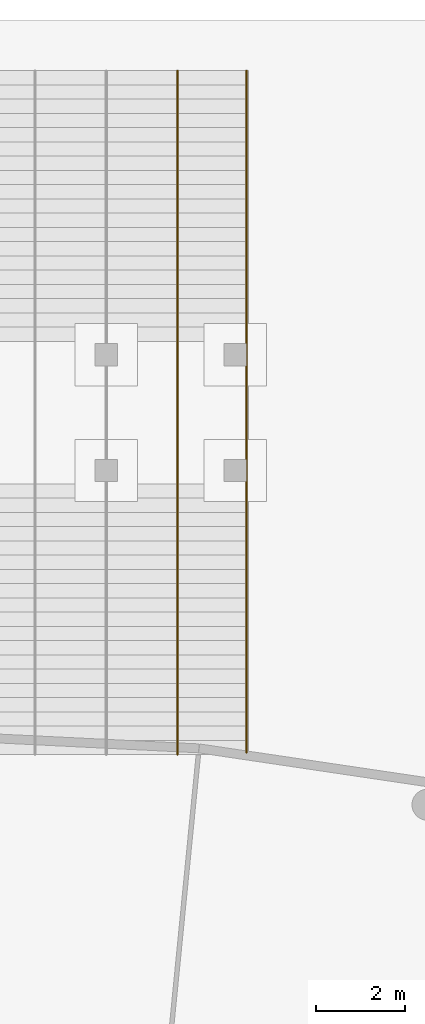
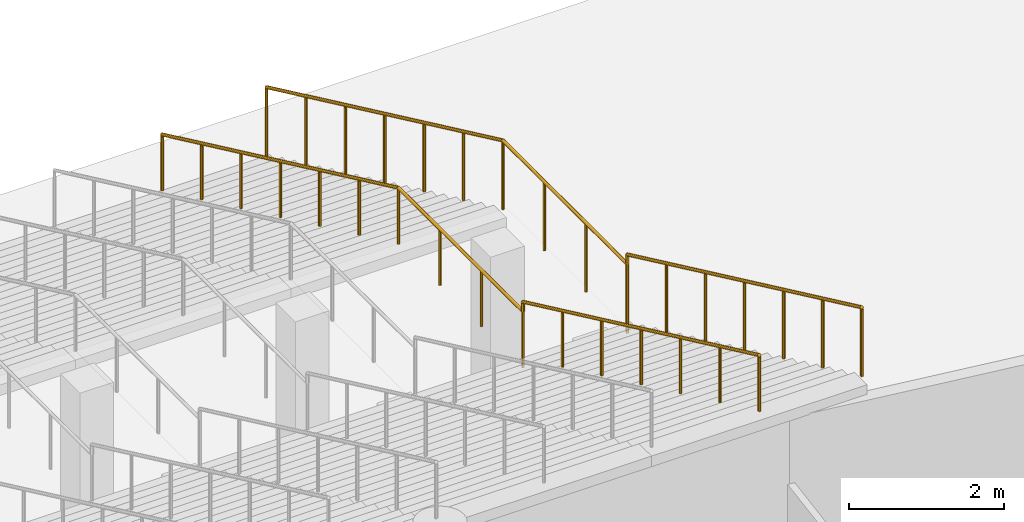
# One storey, part 32 of 33: 2 railings.
"""IFC4 building model written with IfcOpenShell, lengths in metres."""

from ifc_helpers import new_model, si_unit, direction, frame, origin, origin_2d, place, context, subcontext, project, spatial, circle, extrude, material, type_object, element, save


model = new_model("IFC4")

# Units and contexts
model_context = context("Model", 3, precision=1e-05, world=origin(), true_north=direction((0.0, 1.0)))
body_context = subcontext(model_context, "Body", "Model", "MODEL_VIEW")
ifc_project = project(units=[si_unit("LENGTHUNIT", "METRE"), si_unit("AREAUNIT", "SQUARE_METRE"), si_unit("VOLUMEUNIT", "CUBIC_METRE"), si_unit("PLANEANGLEUNIT", "RADIAN"), si_unit("MASSUNIT", "GRAM", prefix="KILO")], contexts=[model_context])

# Site, building, storey
site_placement = place(None, origin())
site = spatial("IfcSite", under=ifc_project, at=site_placement, CompositionType="ELEMENT")
building_placement = place(site_placement, origin())
building = spatial("IfcBuilding", under=site, at=building_placement, Name="Corvane Civic Tower", CompositionType="ELEMENT")
storey_placement = place(building_placement, origin())
storey = spatial("IfcBuildingStorey", under=building, at=storey_placement, Name="G", CompositionType="ELEMENT", Elevation=0.0)

# Railings
ifc_material_1 = material(Name="Steel ASTM A572 Gr 50", Category="steel")
railing_type_1 = type_object("IfcRailingType", Name="PODIUM-RL-GUARD-1100", PredefinedType="GUARDRAIL", material=ifc_material_1)
railing_1_placement = place(storey_placement, frame((6.35009765625, 68.860107421875, 0.14990234375)))
element("IfcRailing", 1, at=railing_1_placement, inside=storey, type_object=railing_type_1, Name="North stair left guard", PredefinedType="GUARDRAIL", context=body_context, shape_type="SweptSolid", body=[
    extrude(circle(Radius=0.02392578125, at=origin_2d()), frame((0.0, 0.0, 1.076171875), z_axis=(0.0, -0.905455442782, 0.424441328262), x_axis=(1.0, 0.0, 0.0)), (0.0, 0.0, 1.0), 6.71484375),
    extrude(circle(Radius=0.02392578125, at=origin_2d()), frame((0.0, -6.080078125, 3.92626953125), z_axis=(0.0, -1.0, 0.0), x_axis=(1.0, 0.0, 0.0)), (0.0, 0.0, 1.0), 3.199951171875),
    extrude(circle(Radius=0.02392578125, at=origin_2d()), frame((0.0, -9.280029296875, 3.92626953125), z_axis=(0.0, 0.0, 1.0), x_axis=(1.0, 0.0, 0.0)), (0.0, 0.0, 1.0), 0.14990234375),
    extrude(circle(Radius=0.02392578125, at=origin_2d()), frame((0.0, -9.280029296875, 4.076171875), z_axis=(0.0, -0.905454092966, 0.424444207796), x_axis=(1.0, 0.0, 0.0)), (0.0, 0.0, 1.0), 6.65966796875),
    extrude(circle(Radius=0.02099609375, at=origin_2d()), origin(), (0.0, 0.0, 1.0), 1.052001953125),
    extrude(circle(Radius=0.02099609375, at=origin_2d()), frame((0.0, -1.013427734375, 0.47509765625)), (0.0, 0.0, 1.0), 1.052001953125),
    extrude(circle(Radius=0.02099609375, at=origin_2d()), frame((0.0, -2.026611328125, 0.949951171875)), (0.0, 0.0, 1.0), 1.052001953125),
    extrude(circle(Radius=0.02099609375, at=origin_2d()), frame((0.0, -3.0400390625, 1.425048828125)), (0.0, 0.0, 1.0), 1.052001953125),
    extrude(circle(Radius=0.02099609375, at=origin_2d()), frame((0.0, -4.053466796875, 1.900146484375)), (0.0, 0.0, 1.0), 1.052001953125),
    extrude(circle(Radius=0.02099609375, at=origin_2d()), frame((0.0, -5.066650390625, 2.375)), (0.0, 0.0, 1.0), 1.052001953125),
    extrude(circle(Radius=0.02099609375, at=origin_2d()), frame((0.0, -6.080078125, 2.85009765625)), (0.0, 0.0, 1.0), 1.052001953125),
    extrude(circle(Radius=0.02099609375, at=origin_2d()), frame((0.0, -7.146728515625, 2.85009765625)), (0.0, 0.0, 1.0), 1.052001953125),
    extrude(circle(Radius=0.02099609375, at=origin_2d()), frame((0.0, -8.21337890625, 2.85009765625)), (0.0, 0.0, 1.0), 1.052001953125),
    extrude(circle(Radius=0.02099609375, at=origin_2d()), frame((0.0, -9.280029296875, 2.85009765625)), (0.0, 0.0, 1.0), 1.052001953125),
    extrude(circle(Radius=0.02099609375, at=origin_2d()), frame((0.0, -9.280029296875, 3.0)), (0.0, 0.0, 1.0), 1.052001953125),
    extrude(circle(Radius=0.02099609375, at=origin_2d()), frame((0.0, -10.28515625, 3.47119140625)), (0.0, 0.0, 1.0), 1.052001953125),
    extrude(circle(Radius=0.02099609375, at=origin_2d()), frame((0.0, -11.2900390625, 3.942138671875)), (0.0, 0.0, 1.0), 1.052001953125),
    extrude(circle(Radius=0.02099609375, at=origin_2d()), frame((0.0, -12.294921875, 4.413330078125)), (0.0, 0.0, 1.0), 1.052001953125),
    extrude(circle(Radius=0.02099609375, at=origin_2d()), frame((0.0, -13.300048828125, 4.884521484375)), (0.0, 0.0, 1.0), 1.052001953125),
    extrude(circle(Radius=0.02099609375, at=origin_2d()), frame((0.0, -14.30517578125, 5.35546875)), (0.0, 0.0, 1.0), 1.052001953125),
    extrude(circle(Radius=0.02099609375, at=origin_2d()), frame((0.0, -15.31005859375, 5.82666015625)), (0.0, 0.0, 1.0), 1.052001953125),
])
ifc_material_2 = material(Name="Steel ASTM A572 Gr 50", Category="steel")
railing_type_2 = type_object("IfcRailingType", Name="PODIUM-RL-HANDRAIL-900", PredefinedType="HANDRAIL", material=ifc_material_2)
railing_2_placement = place(storey_placement, frame((4.800048828125, 68.860107421875, 0.14990234375)))
element("IfcRailing", 2, at=railing_2_placement, inside=storey, type_object=railing_type_2, Name="North stair handrail 1", PredefinedType="HANDRAIL", context=body_context, shape_type="SweptSolid", body=[
    extrude(circle(Radius=0.02392578125, at=origin_2d()), frame((0.0, 0.0, 0.8759765625), z_axis=(0.0, -0.905455442782, 0.424441328262), x_axis=(1.0, 0.0, 0.0)), (0.0, 0.0, 1.0), 6.71484375),
    extrude(circle(Radius=0.02392578125, at=origin_2d()), frame((0.0, -6.080078125, 3.72607421875), z_axis=(0.0, -1.0, 0.0), x_axis=(1.0, 0.0, 0.0)), (0.0, 0.0, 1.0), 3.199951171875),
    extrude(circle(Radius=0.02392578125, at=origin_2d()), frame((0.0, -9.280029296875, 3.72607421875), z_axis=(0.0, 0.0, 1.0), x_axis=(1.0, 0.0, 0.0)), (0.0, 0.0, 1.0), 0.14990234375),
    extrude(circle(Radius=0.02392578125, at=origin_2d()), frame((0.0, -9.280029296875, 3.8759765625), z_axis=(0.0, -0.905455442782, 0.424441328262), x_axis=(1.0, 0.0, 0.0)), (0.0, 0.0, 1.0), 6.71484375),
    extrude(circle(Radius=0.02099609375, at=origin_2d()), origin(), (0.0, 0.0, 1.0), 0.851806640625),
    extrude(circle(Radius=0.02099609375, at=origin_2d()), frame((0.0, -1.013427734375, 0.47509765625)), (0.0, 0.0, 1.0), 0.851806640625),
    extrude(circle(Radius=0.02099609375, at=origin_2d()), frame((0.0, -2.026611328125, 0.949951171875)), (0.0, 0.0, 1.0), 0.851806640625),
    extrude(circle(Radius=0.02099609375, at=origin_2d()), frame((0.0, -3.0400390625, 1.425048828125)), (0.0, 0.0, 1.0), 0.851806640625),
    extrude(circle(Radius=0.02099609375, at=origin_2d()), frame((0.0, -4.053466796875, 1.900146484375)), (0.0, 0.0, 1.0), 0.851806640625),
    extrude(circle(Radius=0.02099609375, at=origin_2d()), frame((0.0, -5.066650390625, 2.375)), (0.0, 0.0, 1.0), 0.851806640625),
    extrude(circle(Radius=0.02099609375, at=origin_2d()), frame((0.0, -6.080078125, 2.85009765625)), (0.0, 0.0, 1.0), 0.851806640625),
    extrude(circle(Radius=0.02099609375, at=origin_2d()), frame((0.0, -7.146728515625, 2.85009765625)), (0.0, 0.0, 1.0), 0.851806640625),
    extrude(circle(Radius=0.02099609375, at=origin_2d()), frame((0.0, -8.21337890625, 2.85009765625)), (0.0, 0.0, 1.0), 0.851806640625),
    extrude(circle(Radius=0.02099609375, at=origin_2d()), frame((0.0, -9.280029296875, 2.85009765625)), (0.0, 0.0, 1.0), 0.851806640625),
    extrude(circle(Radius=0.02099609375, at=origin_2d()), frame((0.0, -9.280029296875, 3.0)), (0.0, 0.0, 1.0), 0.851806640625),
    extrude(circle(Radius=0.02099609375, at=origin_2d()), frame((0.0, -10.29345703125, 3.47509765625)), (0.0, 0.0, 1.0), 0.851806640625),
    extrude(circle(Radius=0.02099609375, at=origin_2d()), frame((0.0, -11.306640625, 3.949951171875)), (0.0, 0.0, 1.0), 0.851806640625),
    extrude(circle(Radius=0.02099609375, at=origin_2d()), frame((0.0, -12.320068359375, 4.425048828125)), (0.0, 0.0, 1.0), 0.851806640625),
    extrude(circle(Radius=0.02099609375, at=origin_2d()), frame((0.0, -13.33349609375, 4.900146484375)), (0.0, 0.0, 1.0), 0.851806640625),
    extrude(circle(Radius=0.02099609375, at=origin_2d()), frame((0.0, -14.3466796875, 5.375)), (0.0, 0.0, 1.0), 0.851806640625),
    extrude(circle(Radius=0.02099609375, at=origin_2d()), frame((0.0, -15.360107421875, 5.85009765625)), (0.0, 0.0, 1.0), 0.851806640625),
])

save(model, "model.ifc")
